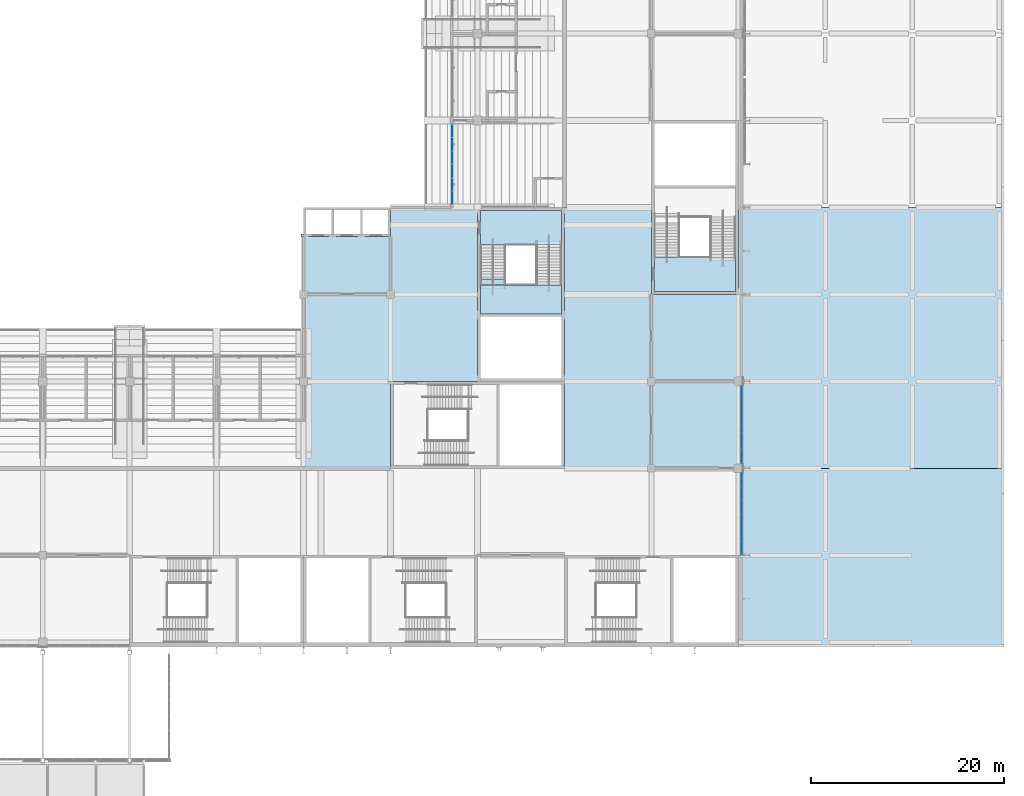
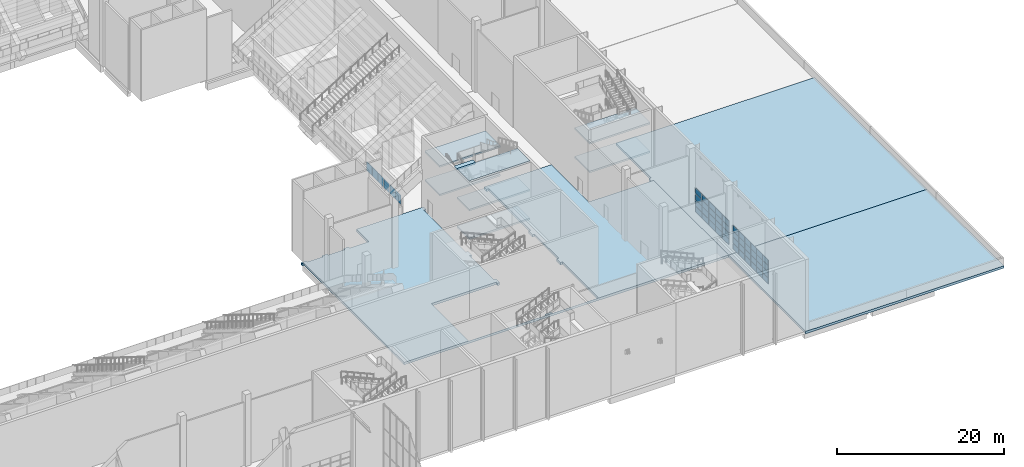
# One storey, part 74 of 182: 50 plates, 11 slabs, 5 elements without a shape of their own.
"""IFC4 building model written with IfcOpenShell, lengths in metres."""

from ifc_helpers import new_model, si_unit, direction, frame, origin, origin_2d, place, context, subcontext, project, spatial, polyline, rectangle, outline, extrude, material, layer, layer_set, type_object, element, aggregate, save


model = new_model("IFC4")

# Units and contexts
model_context = context("Model", 3, precision=1e-05, world=origin(), true_north=direction((0.0, 1.0)))
body_context = subcontext(model_context, "Body", "Model", "MODEL_VIEW")
ifc_project = project(units=[si_unit("LENGTHUNIT", "METRE"), si_unit("AREAUNIT", "SQUARE_METRE"), si_unit("VOLUMEUNIT", "CUBIC_METRE"), si_unit("PLANEANGLEUNIT", "RADIAN"), si_unit("MASSUNIT", "GRAM", prefix="KILO")], contexts=[model_context])

# Site, building, storey
site_placement = place(None, origin())
site = spatial("IfcSite", under=ifc_project, at=site_placement, CompositionType="ELEMENT")
building_placement = place(site_placement, origin())
building = spatial("IfcBuilding", under=site, at=building_placement, Name="Silverbay Arena", CompositionType="ELEMENT")
storey_placement = place(building_placement, frame((0.0, 0.0, 11.5)))
storey = spatial("IfcBuildingStorey", under=building, at=storey_placement, Name="L02", CompositionType="ELEMENT", Elevation=11.5)

# Curtain wall, plates
ifc_material_1 = material(Name="Fire-resisting glass", Category="glass")
curtain_wall_type_1 = type_object("IfcCurtainWallType", Name="Fire-resisting glazed screen EI 120 8350 x 1437", PredefinedType="NOTDEFINED", material=ifc_material_1)
curtain_wall_1_placement = place(storey_placement, origin())
curtain_wall_1 = element("IfcCurtainWall", 1, at=curtain_wall_1_placement, inside=storey, type_object=curtain_wall_type_1, Name="East suite front 1", PredefinedType="NOTDEFINED")
ifc_material_2 = material(Name="Laminated glass", Category="glass")
ifc_layer_1 = layer(ifc_material_2, 0.02392578125)
ifc_layer_set_1 = layer_set([ifc_layer_1], Name="Laminated glass")
plate_type_1 = type_object("IfcPlateType", Name="Glass panel 24", PredefinedType="CURTAIN_PANEL", material=ifc_layer_set_1)
plate_1_placement = place(storey_placement, frame((177.39990234375, 64.0107421875, 1.150146484375), z_axis=(0.0, 0.0, 1.0), x_axis=(0.0, 1.0, 0.0)))
plate_1 = element("IfcPlate", 2, at=plate_1_placement, type_object=plate_type_1, Name="CW20 panel 1.1", PredefinedType="CURTAIN_PANEL", context=body_context, shape_type="SweptSolid", body=[
    extrude(rectangle(XDim=1.3017578125, YDim=0.02392578125, at=origin_2d()), origin(), (0.0, 0.0, 1.0), 1.3369140625),
])
plate_2_placement = place(storey_placement, frame((177.39990234375, 65.387451171875, 1.150146484375), z_axis=(0.0, 0.0, 1.0), x_axis=(0.0, 1.0, 0.0)))
plate_2 = element("IfcPlate", 3, at=plate_2_placement, type_object=plate_type_1, Name="CW20 panel 2.1", PredefinedType="CURTAIN_PANEL", context=body_context, shape_type="SweptSolid", body=[
    extrude(rectangle(XDim=1.331787109375, YDim=0.02392578125, at=origin_2d()), origin(), (0.0, 0.0, 1.0), 1.3369140625),
])
plate_3_placement = place(storey_placement, frame((177.39990234375, 66.779052734375, 1.150146484375), z_axis=(0.0, 0.0, 1.0), x_axis=(0.0, 1.0, 0.0)))
plate_3 = element("IfcPlate", 4, at=plate_3_placement, type_object=plate_type_1, Name="CW20 panel 3.1", PredefinedType="CURTAIN_PANEL", context=body_context, shape_type="SweptSolid", body=[
    extrude(rectangle(XDim=1.331787109375, YDim=0.02392578125, at=origin_2d()), origin(), (0.0, 0.0, 1.0), 1.3369140625),
])
plate_4_placement = place(storey_placement, frame((177.39990234375, 68.1708984375, 1.150146484375), z_axis=(0.0, 0.0, 1.0), x_axis=(0.0, 1.0, 0.0)))
plate_4 = element("IfcPlate", 5, at=plate_4_placement, type_object=plate_type_1, Name="CW20 panel 4.1", PredefinedType="CURTAIN_PANEL", context=body_context, shape_type="SweptSolid", body=[
    extrude(rectangle(XDim=1.331787109375, YDim=0.02392578125, at=origin_2d()), origin(), (0.0, 0.0, 1.0), 1.3369140625),
])
plate_5_placement = place(storey_placement, frame((177.39990234375, 69.5625, 1.150146484375), z_axis=(0.0, 0.0, 1.0), x_axis=(0.0, 1.0, 0.0)))
plate_5 = element("IfcPlate", 6, at=plate_5_placement, type_object=plate_type_1, Name="CW20 panel 5.1", PredefinedType="CURTAIN_PANEL", context=body_context, shape_type="SweptSolid", body=[
    extrude(rectangle(XDim=1.331787109375, YDim=0.02392578125, at=origin_2d()), origin(), (0.0, 0.0, 1.0), 1.3369140625),
])
plate_6_placement = place(storey_placement, frame((177.39990234375, 70.939208984375, 1.150146484375), z_axis=(0.0, 0.0, 1.0), x_axis=(0.0, 1.0, 0.0)))
plate_6 = element("IfcPlate", 7, at=plate_6_placement, type_object=plate_type_1, Name="CW20 panel 6.1", PredefinedType="CURTAIN_PANEL", context=body_context, shape_type="SweptSolid", body=[
    extrude(rectangle(XDim=1.3017578125, YDim=0.02392578125, at=origin_2d()), origin(), (0.0, 0.0, 1.0), 1.3369140625),
])
aggregate(curtain_wall_1, [plate_1, plate_2, plate_3, plate_4, plate_5, plate_6])

ifc_material_3 = material(Name="Aluminium framed curtain wall", Category="aluminium")
curtain_wall_type_2 = type_object("IfcCurtainWallType", Name="Curtain wall 8550 x 3600", PredefinedType="NOTDEFINED", material=ifc_material_3)
curtain_wall_2_placement = place(storey_placement, origin())
curtain_wall_2 = element("IfcCurtainWall", 8, at=curtain_wall_2_placement, inside=storey, type_object=curtain_wall_type_2, Name="East curtain wall L02 bay 2", PredefinedType="NOTDEFINED")
ifc_material_4 = material(Name="Laminated glass", Category="glass")
ifc_layer_2 = layer(ifc_material_4, 0.035888671875)
ifc_layer_set_2 = layer_set([ifc_layer_2], Name="Laminated glass")
plate_type_2 = type_object("IfcPlateType", Name="Glass panel 36", PredefinedType="CURTAIN_PANEL", material=ifc_layer_set_2)
plate_7_placement = place(storey_placement, frame((207.35009765625, 27.7275390625, 1.0498046875), z_axis=(0.0, 0.0, 1.0), x_axis=(0.0, 1.0, 0.0)))
plate_7 = element("IfcPlate", 9, at=plate_7_placement, type_object=plate_type_2, Name="CW10 panel 1.1", PredefinedType="CURTAIN_PANEL", context=body_context, shape_type="SweptSolid", body=[
    extrude(rectangle(XDim=1.3349609375, YDim=0.035888671875, at=origin_2d()), origin(), (0.0, 0.0, 1.0), 0.824951171875),
])
plate_8_placement = place(storey_placement, frame((207.35009765625, 27.7275390625, 1.925048828125), z_axis=(0.0, 0.0, 1.0), x_axis=(0.0, 1.0, 0.0)))
plate_8 = element("IfcPlate", 10, at=plate_8_placement, type_object=plate_type_2, Name="CW10 panel 1.2", PredefinedType="CURTAIN_PANEL", context=body_context, shape_type="SweptSolid", body=[
    extrude(rectangle(XDim=1.3349609375, YDim=0.035888671875, at=origin_2d()), origin(), (0.0, 0.0, 1.0), 0.85009765625),
])
plate_9_placement = place(storey_placement, frame((207.35009765625, 27.7275390625, 2.824951171875), z_axis=(0.0, 0.0, 1.0), x_axis=(0.0, 1.0, 0.0)))
plate_9 = element("IfcPlate", 11, at=plate_9_placement, type_object=plate_type_2, Name="CW10 panel 1.3", PredefinedType="CURTAIN_PANEL", context=body_context, shape_type="SweptSolid", body=[
    extrude(rectangle(XDim=1.3349609375, YDim=0.035888671875, at=origin_2d()), origin(), (0.0, 0.0, 1.0), 0.85009765625),
])
plate_10_placement = place(storey_placement, frame((207.35009765625, 27.7275390625, 3.72509765625), z_axis=(0.0, 0.0, 1.0), x_axis=(0.0, 1.0, 0.0)))
plate_10 = element("IfcPlate", 12, at=plate_10_placement, type_object=plate_type_2, Name="CW10 panel 1.4", PredefinedType="CURTAIN_PANEL", context=body_context, shape_type="SweptSolid", body=[
    extrude(rectangle(XDim=1.3349609375, YDim=0.035888671875, at=origin_2d()), origin(), (0.0, 0.0, 1.0), 0.824951171875),
])
plate_11_placement = place(storey_placement, frame((207.35009765625, 29.137451171875, 1.0498046875), z_axis=(0.0, 0.0, 1.0), x_axis=(0.0, 1.0, 0.0)))
plate_11 = element("IfcPlate", 13, at=plate_11_placement, type_object=plate_type_2, Name="CW10 panel 2.1", PredefinedType="CURTAIN_PANEL", context=body_context, shape_type="SweptSolid", body=[
    extrude(rectangle(XDim=1.364990234375, YDim=0.035888671875, at=origin_2d()), origin(), (0.0, 0.0, 1.0), 0.824951171875),
])
plate_12_placement = place(storey_placement, frame((207.35009765625, 29.137451171875, 1.925048828125), z_axis=(0.0, 0.0, 1.0), x_axis=(0.0, 1.0, 0.0)))
plate_12 = element("IfcPlate", 14, at=plate_12_placement, type_object=plate_type_2, Name="CW10 panel 2.2", PredefinedType="CURTAIN_PANEL", context=body_context, shape_type="SweptSolid", body=[
    extrude(rectangle(XDim=1.364990234375, YDim=0.035888671875, at=origin_2d()), origin(), (0.0, 0.0, 1.0), 0.85009765625),
])
plate_13_placement = place(storey_placement, frame((207.35009765625, 29.137451171875, 2.824951171875), z_axis=(0.0, 0.0, 1.0), x_axis=(0.0, 1.0, 0.0)))
plate_13 = element("IfcPlate", 15, at=plate_13_placement, type_object=plate_type_2, Name="CW10 panel 2.3", PredefinedType="CURTAIN_PANEL", context=body_context, shape_type="SweptSolid", body=[
    extrude(rectangle(XDim=1.364990234375, YDim=0.035888671875, at=origin_2d()), origin(), (0.0, 0.0, 1.0), 0.85009765625),
])
plate_14_placement = place(storey_placement, frame((207.35009765625, 29.137451171875, 3.72509765625), z_axis=(0.0, 0.0, 1.0), x_axis=(0.0, 1.0, 0.0)))
plate_14 = element("IfcPlate", 16, at=plate_14_placement, type_object=plate_type_2, Name="CW10 panel 2.4", PredefinedType="CURTAIN_PANEL", context=body_context, shape_type="SweptSolid", body=[
    extrude(rectangle(XDim=1.364990234375, YDim=0.035888671875, at=origin_2d()), origin(), (0.0, 0.0, 1.0), 0.824951171875),
])
plate_15_placement = place(storey_placement, frame((207.35009765625, 30.5625, 1.0498046875), z_axis=(0.0, 0.0, 1.0), x_axis=(0.0, 1.0, 0.0)))
plate_15 = element("IfcPlate", 17, at=plate_15_placement, type_object=plate_type_2, Name="CW10 panel 3.1", PredefinedType="CURTAIN_PANEL", context=body_context, shape_type="SweptSolid", body=[
    extrude(rectangle(XDim=1.364990234375, YDim=0.035888671875, at=origin_2d()), origin(), (0.0, 0.0, 1.0), 0.824951171875),
])
plate_16_placement = place(storey_placement, frame((207.35009765625, 30.5625, 1.925048828125), z_axis=(0.0, 0.0, 1.0), x_axis=(0.0, 1.0, 0.0)))
plate_16 = element("IfcPlate", 18, at=plate_16_placement, type_object=plate_type_2, Name="CW10 panel 3.2", PredefinedType="CURTAIN_PANEL", context=body_context, shape_type="SweptSolid", body=[
    extrude(rectangle(XDim=1.364990234375, YDim=0.035888671875, at=origin_2d()), origin(), (0.0, 0.0, 1.0), 0.85009765625),
])
plate_17_placement = place(storey_placement, frame((207.35009765625, 30.5625, 2.824951171875), z_axis=(0.0, 0.0, 1.0), x_axis=(0.0, 1.0, 0.0)))
plate_17 = element("IfcPlate", 19, at=plate_17_placement, type_object=plate_type_2, Name="CW10 panel 3.3", PredefinedType="CURTAIN_PANEL", context=body_context, shape_type="SweptSolid", body=[
    extrude(rectangle(XDim=1.364990234375, YDim=0.035888671875, at=origin_2d()), origin(), (0.0, 0.0, 1.0), 0.85009765625),
])
plate_18_placement = place(storey_placement, frame((207.35009765625, 30.5625, 3.72509765625), z_axis=(0.0, 0.0, 1.0), x_axis=(0.0, 1.0, 0.0)))
plate_18 = element("IfcPlate", 20, at=plate_18_placement, type_object=plate_type_2, Name="CW10 panel 3.4", PredefinedType="CURTAIN_PANEL", context=body_context, shape_type="SweptSolid", body=[
    extrude(rectangle(XDim=1.364990234375, YDim=0.035888671875, at=origin_2d()), origin(), (0.0, 0.0, 1.0), 0.824951171875),
])
plate_19_placement = place(storey_placement, frame((207.35009765625, 31.987548828125, 1.0498046875), z_axis=(0.0, 0.0, 1.0), x_axis=(0.0, 1.0, 0.0)))
plate_19 = element("IfcPlate", 21, at=plate_19_placement, type_object=plate_type_2, Name="CW10 panel 4.1", PredefinedType="CURTAIN_PANEL", context=body_context, shape_type="SweptSolid", body=[
    extrude(rectangle(XDim=1.364990234375, YDim=0.035888671875, at=origin_2d()), origin(), (0.0, 0.0, 1.0), 0.824951171875),
])
plate_20_placement = place(storey_placement, frame((207.35009765625, 31.987548828125, 1.925048828125), z_axis=(0.0, 0.0, 1.0), x_axis=(0.0, 1.0, 0.0)))
plate_20 = element("IfcPlate", 22, at=plate_20_placement, type_object=plate_type_2, Name="CW10 panel 4.2", PredefinedType="CURTAIN_PANEL", context=body_context, shape_type="SweptSolid", body=[
    extrude(rectangle(XDim=1.364990234375, YDim=0.035888671875, at=origin_2d()), origin(), (0.0, 0.0, 1.0), 0.85009765625),
])
plate_21_placement = place(storey_placement, frame((207.35009765625, 31.987548828125, 2.824951171875), z_axis=(0.0, 0.0, 1.0), x_axis=(0.0, 1.0, 0.0)))
plate_21 = element("IfcPlate", 23, at=plate_21_placement, type_object=plate_type_2, Name="CW10 panel 4.3", PredefinedType="CURTAIN_PANEL", context=body_context, shape_type="SweptSolid", body=[
    extrude(rectangle(XDim=1.364990234375, YDim=0.035888671875, at=origin_2d()), origin(), (0.0, 0.0, 1.0), 0.85009765625),
])
plate_22_placement = place(storey_placement, frame((207.35009765625, 31.987548828125, 3.72509765625), z_axis=(0.0, 0.0, 1.0), x_axis=(0.0, 1.0, 0.0)))
plate_22 = element("IfcPlate", 24, at=plate_22_placement, type_object=plate_type_2, Name="CW10 panel 4.4", PredefinedType="CURTAIN_PANEL", context=body_context, shape_type="SweptSolid", body=[
    extrude(rectangle(XDim=1.364990234375, YDim=0.035888671875, at=origin_2d()), origin(), (0.0, 0.0, 1.0), 0.824951171875),
])
plate_23_placement = place(storey_placement, frame((207.35009765625, 33.41259765625, 1.0498046875), z_axis=(0.0, 0.0, 1.0), x_axis=(0.0, 1.0, 0.0)))
plate_23 = element("IfcPlate", 25, at=plate_23_placement, type_object=plate_type_2, Name="CW10 panel 5.1", PredefinedType="CURTAIN_PANEL", context=body_context, shape_type="SweptSolid", body=[
    extrude(rectangle(XDim=1.364990234375, YDim=0.035888671875, at=origin_2d()), origin(), (0.0, 0.0, 1.0), 0.824951171875),
])
plate_24_placement = place(storey_placement, frame((207.35009765625, 33.41259765625, 1.925048828125), z_axis=(0.0, 0.0, 1.0), x_axis=(0.0, 1.0, 0.0)))
plate_24 = element("IfcPlate", 26, at=plate_24_placement, type_object=plate_type_2, Name="CW10 panel 5.2", PredefinedType="CURTAIN_PANEL", context=body_context, shape_type="SweptSolid", body=[
    extrude(rectangle(XDim=1.364990234375, YDim=0.035888671875, at=origin_2d()), origin(), (0.0, 0.0, 1.0), 0.85009765625),
])
plate_25_placement = place(storey_placement, frame((207.35009765625, 33.41259765625, 2.824951171875), z_axis=(0.0, 0.0, 1.0), x_axis=(0.0, 1.0, 0.0)))
plate_25 = element("IfcPlate", 27, at=plate_25_placement, type_object=plate_type_2, Name="CW10 panel 5.3", PredefinedType="CURTAIN_PANEL", context=body_context, shape_type="SweptSolid", body=[
    extrude(rectangle(XDim=1.364990234375, YDim=0.035888671875, at=origin_2d()), origin(), (0.0, 0.0, 1.0), 0.85009765625),
])
plate_26_placement = place(storey_placement, frame((207.35009765625, 33.41259765625, 3.72509765625), z_axis=(0.0, 0.0, 1.0), x_axis=(0.0, 1.0, 0.0)))
plate_26 = element("IfcPlate", 28, at=plate_26_placement, type_object=plate_type_2, Name="CW10 panel 5.4", PredefinedType="CURTAIN_PANEL", context=body_context, shape_type="SweptSolid", body=[
    extrude(rectangle(XDim=1.364990234375, YDim=0.035888671875, at=origin_2d()), origin(), (0.0, 0.0, 1.0), 0.824951171875),
])
plate_27_placement = place(storey_placement, frame((207.35009765625, 34.822509765625, 1.0498046875), z_axis=(0.0, 0.0, 1.0), x_axis=(0.0, 1.0, 0.0)))
plate_27 = element("IfcPlate", 29, at=plate_27_placement, type_object=plate_type_2, Name="CW10 panel 6.1", PredefinedType="CURTAIN_PANEL", context=body_context, shape_type="SweptSolid", body=[
    extrude(rectangle(XDim=1.3349609375, YDim=0.035888671875, at=origin_2d()), origin(), (0.0, 0.0, 1.0), 0.824951171875),
])
plate_28_placement = place(storey_placement, frame((207.35009765625, 34.822509765625, 1.925048828125), z_axis=(0.0, 0.0, 1.0), x_axis=(0.0, 1.0, 0.0)))
plate_28 = element("IfcPlate", 30, at=plate_28_placement, type_object=plate_type_2, Name="CW10 panel 6.2", PredefinedType="CURTAIN_PANEL", context=body_context, shape_type="SweptSolid", body=[
    extrude(rectangle(XDim=1.3349609375, YDim=0.035888671875, at=origin_2d()), origin(), (0.0, 0.0, 1.0), 0.85009765625),
])
plate_29_placement = place(storey_placement, frame((207.35009765625, 34.822509765625, 2.824951171875), z_axis=(0.0, 0.0, 1.0), x_axis=(0.0, 1.0, 0.0)))
plate_29 = element("IfcPlate", 31, at=plate_29_placement, type_object=plate_type_2, Name="CW10 panel 6.3", PredefinedType="CURTAIN_PANEL", context=body_context, shape_type="SweptSolid", body=[
    extrude(rectangle(XDim=1.3349609375, YDim=0.035888671875, at=origin_2d()), origin(), (0.0, 0.0, 1.0), 0.85009765625),
])
plate_30_placement = place(storey_placement, frame((207.35009765625, 34.822509765625, 3.72509765625), z_axis=(0.0, 0.0, 1.0), x_axis=(0.0, 1.0, 0.0)))
plate_30 = element("IfcPlate", 32, at=plate_30_placement, type_object=plate_type_2, Name="CW10 panel 6.4", PredefinedType="CURTAIN_PANEL", context=body_context, shape_type="SweptSolid", body=[
    extrude(rectangle(XDim=1.3349609375, YDim=0.035888671875, at=origin_2d()), origin(), (0.0, 0.0, 1.0), 0.824951171875),
])
aggregate(curtain_wall_2, [plate_7, plate_8, plate_9, plate_10, plate_11, plate_12, plate_13, plate_14, plate_15, plate_16, plate_17, plate_18, plate_19, plate_20, plate_21, plate_22, plate_23, plate_24, plate_25, plate_26, plate_27, plate_28, plate_29, plate_30])

ifc_material_5 = material(Name="Aluminium framed curtain wall", Category="aluminium")
curtain_wall_type_3 = type_object("IfcCurtainWallType", Name="Curtain wall 8100 x 3600", PredefinedType="NOTDEFINED", material=ifc_material_5)
curtain_wall_3_placement = place(storey_placement, origin())
curtain_wall_3 = element("IfcCurtainWall", 33, at=curtain_wall_3_placement, inside=storey, type_object=curtain_wall_type_3, Name="East curtain wall L02 bay 3", PredefinedType="NOTDEFINED")
plate_31_placement = place(storey_placement, frame((207.35009765625, 37.27490234375, 1.0498046875), z_axis=(0.0, 0.0, 1.0), x_axis=(0.0, 1.0, 0.0)))
plate_31 = element("IfcPlate", 34, at=plate_31_placement, type_object=plate_type_2, Name="CW11 panel 1.1", PredefinedType="CURTAIN_PANEL", context=body_context, shape_type="SweptSolid", body=[
    extrude(rectangle(XDim=1.530029296875, YDim=0.035888671875, at=origin_2d()), origin(), (0.0, 0.0, 1.0), 0.824951171875),
])
plate_32_placement = place(storey_placement, frame((207.35009765625, 37.27490234375, 1.925048828125), z_axis=(0.0, 0.0, 1.0), x_axis=(0.0, 1.0, 0.0)))
plate_32 = element("IfcPlate", 35, at=plate_32_placement, type_object=plate_type_2, Name="CW11 panel 1.2", PredefinedType="CURTAIN_PANEL", context=body_context, shape_type="SweptSolid", body=[
    extrude(rectangle(XDim=1.530029296875, YDim=0.035888671875, at=origin_2d()), origin(), (0.0, 0.0, 1.0), 0.85009765625),
])
plate_33_placement = place(storey_placement, frame((207.35009765625, 37.27490234375, 2.824951171875), z_axis=(0.0, 0.0, 1.0), x_axis=(0.0, 1.0, 0.0)))
plate_33 = element("IfcPlate", 36, at=plate_33_placement, type_object=plate_type_2, Name="CW11 panel 1.3", PredefinedType="CURTAIN_PANEL", context=body_context, shape_type="SweptSolid", body=[
    extrude(rectangle(XDim=1.530029296875, YDim=0.035888671875, at=origin_2d()), origin(), (0.0, 0.0, 1.0), 0.85009765625),
])
plate_34_placement = place(storey_placement, frame((207.35009765625, 37.27490234375, 3.72509765625), z_axis=(0.0, 0.0, 1.0), x_axis=(0.0, 1.0, 0.0)))
plate_34 = element("IfcPlate", 37, at=plate_34_placement, type_object=plate_type_2, Name="CW11 panel 1.4", PredefinedType="CURTAIN_PANEL", context=body_context, shape_type="SweptSolid", body=[
    extrude(rectangle(XDim=1.530029296875, YDim=0.035888671875, at=origin_2d()), origin(), (0.0, 0.0, 1.0), 0.824951171875),
])
plate_35_placement = place(storey_placement, frame((207.35009765625, 38.8798828125, 1.0498046875), z_axis=(0.0, 0.0, 1.0), x_axis=(0.0, 1.0, 0.0)))
plate_35 = element("IfcPlate", 38, at=plate_35_placement, type_object=plate_type_2, Name="CW11 panel 2.1", PredefinedType="CURTAIN_PANEL", context=body_context, shape_type="SweptSolid", body=[
    extrude(rectangle(XDim=1.56005859375, YDim=0.035888671875, at=origin_2d()), origin(), (0.0, 0.0, 1.0), 0.824951171875),
])
plate_36_placement = place(storey_placement, frame((207.35009765625, 38.8798828125, 1.925048828125), z_axis=(0.0, 0.0, 1.0), x_axis=(0.0, 1.0, 0.0)))
plate_36 = element("IfcPlate", 39, at=plate_36_placement, type_object=plate_type_2, Name="CW11 panel 2.2", PredefinedType="CURTAIN_PANEL", context=body_context, shape_type="SweptSolid", body=[
    extrude(rectangle(XDim=1.56005859375, YDim=0.035888671875, at=origin_2d()), origin(), (0.0, 0.0, 1.0), 0.85009765625),
])
plate_37_placement = place(storey_placement, frame((207.35009765625, 38.8798828125, 2.824951171875), z_axis=(0.0, 0.0, 1.0), x_axis=(0.0, 1.0, 0.0)))
plate_37 = element("IfcPlate", 40, at=plate_37_placement, type_object=plate_type_2, Name="CW11 panel 2.3", PredefinedType="CURTAIN_PANEL", context=body_context, shape_type="SweptSolid", body=[
    extrude(rectangle(XDim=1.56005859375, YDim=0.035888671875, at=origin_2d()), origin(), (0.0, 0.0, 1.0), 0.85009765625),
])
plate_38_placement = place(storey_placement, frame((207.35009765625, 38.8798828125, 3.72509765625), z_axis=(0.0, 0.0, 1.0), x_axis=(0.0, 1.0, 0.0)))
plate_38 = element("IfcPlate", 41, at=plate_38_placement, type_object=plate_type_2, Name="CW11 panel 2.4", PredefinedType="CURTAIN_PANEL", context=body_context, shape_type="SweptSolid", body=[
    extrude(rectangle(XDim=1.56005859375, YDim=0.035888671875, at=origin_2d()), origin(), (0.0, 0.0, 1.0), 0.824951171875),
])
plate_39_placement = place(storey_placement, frame((207.35009765625, 40.5, 1.0498046875), z_axis=(0.0, 0.0, 1.0), x_axis=(0.0, 1.0, 0.0)))
plate_39 = element("IfcPlate", 42, at=plate_39_placement, type_object=plate_type_2, Name="CW11 panel 3.1", PredefinedType="CURTAIN_PANEL", context=body_context, shape_type="SweptSolid", body=[
    extrude(rectangle(XDim=1.56005859375, YDim=0.035888671875, at=origin_2d()), origin(), (0.0, 0.0, 1.0), 0.824951171875),
])
plate_40_placement = place(storey_placement, frame((207.35009765625, 40.5, 1.925048828125), z_axis=(0.0, 0.0, 1.0), x_axis=(0.0, 1.0, 0.0)))
plate_40 = element("IfcPlate", 43, at=plate_40_placement, type_object=plate_type_2, Name="CW11 panel 3.2", PredefinedType="CURTAIN_PANEL", context=body_context, shape_type="SweptSolid", body=[
    extrude(rectangle(XDim=1.56005859375, YDim=0.035888671875, at=origin_2d()), origin(), (0.0, 0.0, 1.0), 0.85009765625),
])
plate_41_placement = place(storey_placement, frame((207.35009765625, 40.5, 2.824951171875), z_axis=(0.0, 0.0, 1.0), x_axis=(0.0, 1.0, 0.0)))
plate_41 = element("IfcPlate", 44, at=plate_41_placement, type_object=plate_type_2, Name="CW11 panel 3.3", PredefinedType="CURTAIN_PANEL", context=body_context, shape_type="SweptSolid", body=[
    extrude(rectangle(XDim=1.56005859375, YDim=0.035888671875, at=origin_2d()), origin(), (0.0, 0.0, 1.0), 0.85009765625),
])
plate_42_placement = place(storey_placement, frame((207.35009765625, 40.5, 3.72509765625), z_axis=(0.0, 0.0, 1.0), x_axis=(0.0, 1.0, 0.0)))
plate_42 = element("IfcPlate", 45, at=plate_42_placement, type_object=plate_type_2, Name="CW11 panel 3.4", PredefinedType="CURTAIN_PANEL", context=body_context, shape_type="SweptSolid", body=[
    extrude(rectangle(XDim=1.56005859375, YDim=0.035888671875, at=origin_2d()), origin(), (0.0, 0.0, 1.0), 0.824951171875),
])
plate_43_placement = place(storey_placement, frame((207.35009765625, 42.1201171875, 1.0498046875), z_axis=(0.0, 0.0, 1.0), x_axis=(0.0, 1.0, 0.0)))
plate_43 = element("IfcPlate", 46, at=plate_43_placement, type_object=plate_type_2, Name="CW11 panel 4.1", PredefinedType="CURTAIN_PANEL", context=body_context, shape_type="SweptSolid", body=[
    extrude(rectangle(XDim=1.56005859375, YDim=0.035888671875, at=origin_2d()), origin(), (0.0, 0.0, 1.0), 0.824951171875),
])
plate_44_placement = place(storey_placement, frame((207.35009765625, 42.1201171875, 1.925048828125), z_axis=(0.0, 0.0, 1.0), x_axis=(0.0, 1.0, 0.0)))
plate_44 = element("IfcPlate", 47, at=plate_44_placement, type_object=plate_type_2, Name="CW11 panel 4.2", PredefinedType="CURTAIN_PANEL", context=body_context, shape_type="SweptSolid", body=[
    extrude(rectangle(XDim=1.56005859375, YDim=0.035888671875, at=origin_2d()), origin(), (0.0, 0.0, 1.0), 0.85009765625),
])
plate_45_placement = place(storey_placement, frame((207.35009765625, 42.1201171875, 2.824951171875), z_axis=(0.0, 0.0, 1.0), x_axis=(0.0, 1.0, 0.0)))
plate_45 = element("IfcPlate", 48, at=plate_45_placement, type_object=plate_type_2, Name="CW11 panel 4.3", PredefinedType="CURTAIN_PANEL", context=body_context, shape_type="SweptSolid", body=[
    extrude(rectangle(XDim=1.56005859375, YDim=0.035888671875, at=origin_2d()), origin(), (0.0, 0.0, 1.0), 0.85009765625),
])
plate_46_placement = place(storey_placement, frame((207.35009765625, 42.1201171875, 3.72509765625), z_axis=(0.0, 0.0, 1.0), x_axis=(0.0, 1.0, 0.0)))
plate_46 = element("IfcPlate", 49, at=plate_46_placement, type_object=plate_type_2, Name="CW11 panel 4.4", PredefinedType="CURTAIN_PANEL", context=body_context, shape_type="SweptSolid", body=[
    extrude(rectangle(XDim=1.56005859375, YDim=0.035888671875, at=origin_2d()), origin(), (0.0, 0.0, 1.0), 0.824951171875),
])
plate_47_placement = place(storey_placement, frame((207.35009765625, 43.72509765625, 1.0498046875), z_axis=(0.0, 0.0, 1.0), x_axis=(0.0, 1.0, 0.0)))
plate_47 = element("IfcPlate", 50, at=plate_47_placement, type_object=plate_type_2, Name="CW11 panel 5.1", PredefinedType="CURTAIN_PANEL", context=body_context, shape_type="SweptSolid", body=[
    extrude(rectangle(XDim=1.530029296875, YDim=0.035888671875, at=origin_2d()), origin(), (0.0, 0.0, 1.0), 0.824951171875),
])
plate_48_placement = place(storey_placement, frame((207.35009765625, 43.72509765625, 1.925048828125), z_axis=(0.0, 0.0, 1.0), x_axis=(0.0, 1.0, 0.0)))
plate_48 = element("IfcPlate", 51, at=plate_48_placement, type_object=plate_type_2, Name="CW11 panel 5.2", PredefinedType="CURTAIN_PANEL", context=body_context, shape_type="SweptSolid", body=[
    extrude(rectangle(XDim=1.530029296875, YDim=0.035888671875, at=origin_2d()), origin(), (0.0, 0.0, 1.0), 0.85009765625),
])
plate_49_placement = place(storey_placement, frame((207.35009765625, 43.72509765625, 2.824951171875), z_axis=(0.0, 0.0, 1.0), x_axis=(0.0, 1.0, 0.0)))
plate_49 = element("IfcPlate", 52, at=plate_49_placement, type_object=plate_type_2, Name="CW11 panel 5.3", PredefinedType="CURTAIN_PANEL", context=body_context, shape_type="SweptSolid", body=[
    extrude(rectangle(XDim=1.530029296875, YDim=0.035888671875, at=origin_2d()), origin(), (0.0, 0.0, 1.0), 0.85009765625),
])
plate_50_placement = place(storey_placement, frame((207.35009765625, 43.72509765625, 3.72509765625), z_axis=(0.0, 0.0, 1.0), x_axis=(0.0, 1.0, 0.0)))
plate_50 = element("IfcPlate", 53, at=plate_50_placement, type_object=plate_type_2, Name="CW11 panel 5.4", PredefinedType="CURTAIN_PANEL", context=body_context, shape_type="SweptSolid", body=[
    extrude(rectangle(XDim=1.530029296875, YDim=0.035888671875, at=origin_2d()), origin(), (0.0, 0.0, 1.0), 0.824951171875),
])
aggregate(curtain_wall_3, [plate_31, plate_32, plate_33, plate_34, plate_35, plate_36, plate_37, plate_38, plate_39, plate_40, plate_41, plate_42, plate_43, plate_44, plate_45, plate_46, plate_47, plate_48, plate_49, plate_50])

# Slabs
ifc_material_6 = material(Name="Concrete Grade C45", Category="concrete")
ifc_layer_3 = layer(ifc_material_6, 0.35009765625)
ifc_layer_set_3 = layer_set([ifc_layer_3], Name="Concrete Grade C45")
slab_type_1 = type_object("IfcSlabType", Name="RC floor slab 350", PredefinedType="FLOOR", material=ifc_layer_set_3)
slab_1_placement = place(storey_placement, frame((0.0, 0.0, -0.35009765625)))
element("IfcSlab", 54, at=slab_1_placement, inside=storey, type_object=slab_type_1, Name="Floor slab L02 unit 6", PredefinedType="FLOOR", context=body_context, shape_type="SweptSolid", body=[
    extrude(outline(polyline([(180.300048828125, 45.60009765625), (180.300048828125, 44.699951171875), (180.0, 44.699951171875), (180.0, 45.0), (171.0, 45.0), (171.0, 36.0), (181.699951171875, 36.0), (181.699951171875, 36.300048828125), (182.60009765625, 36.300048828125), (182.60009765625, 36.0), (189.0, 36.0), (189.0, 44.699951171875), (188.699951171875, 44.699951171875), (188.699951171875, 45.60009765625), (189.0, 45.60009765625), (189.0, 51.39990234375), (188.699951171875, 51.39990234375), (188.699951171875, 52.300048828125), (189.0, 52.300048828125), (189.0, 62.39990234375), (188.699951171875, 62.39990234375), (188.699951171875, 63.0), (198.0, 63.0), (198.0, 54.0), (207.0, 54.0), (207.0, 35.97509765625), (162.0, 35.97509765625), (162.0, 60.0), (161.75, 60.0), (161.75, 60.25), (162.5, 60.25), (162.5, 60.0), (164.64990234375, 60.0), (164.64990234375, 60.25), (165.35009765625, 60.25), (165.35009765625, 60.0), (167.64990234375, 60.0), (167.64990234375, 60.25), (168.35009765625, 60.25), (168.35009765625, 60.0), (171.0, 60.0), (171.0, 63.0), (180.300048828125, 63.0), (180.300048828125, 62.39990234375), (180.0, 62.39990234375), (180.0, 52.300048828125), (180.300048828125, 52.300048828125), (180.300048828125, 51.39990234375), (180.0, 51.39990234375), (180.0, 45.60009765625), (180.300048828125, 45.60009765625)])), origin(), (0.0, 0.0, 1.0), 0.35009765625),
])
ifc_material_7 = material(Name="Concrete Grade C45", Category="concrete")
ifc_layer_4 = layer(ifc_material_7, 0.35009765625)
ifc_layer_set_4 = layer_set([ifc_layer_4], Name="Concrete Grade C45")
slab_type_2 = type_object("IfcSlabType", Name="RC roof slab 350", PredefinedType="ROOF", material=ifc_layer_set_4)
slab_2_placement = place(storey_placement, frame((0.0, 0.0, -0.35009765625)))
element("IfcSlab", 55, at=slab_2_placement, inside=storey, type_object=slab_type_2, Name="Roof slab L02 unit 2", PredefinedType="ROOF", context=body_context, shape_type="SweptSolid", body=[
    extrude(outline(polyline([(234.5, 17.5), (207.0, 17.5), (207.0, 35.97509765625), (234.5, 35.97509765625), (234.5, 17.5)])), origin(), (0.0, 0.0, 1.0), 0.35009765625),
])
slab_3_placement = place(storey_placement, frame((0.0, 0.0, -0.35009765625)))
element("IfcSlab", 56, at=slab_3_placement, inside=storey, type_object=slab_type_2, Name="Roof slab L02 unit 4", PredefinedType="ROOF", context=body_context, shape_type="SweptSolid", body=[
    extrude(outline(polyline([(207.0, 35.97509765625), (207.0, 54.0), (206.699951171875, 54.0), (206.699951171875, 54.60009765625), (207.0, 54.60009765625), (207.0, 63.0), (234.5, 63.0), (234.5, 35.97509765625), (207.0, 35.97509765625)])), origin(), (0.0, 0.0, 1.0), 0.35009765625),
])

# Stair, slab
ifc_material_8 = material(Name="Concrete Grade C45", Category="concrete")
stair_type = type_object("IfcStairType", Name="Stair 2600 wide 80 risers 131.2 x 300", PredefinedType="HALF_TURN_STAIR", material=ifc_material_8)
stair_1_placement = place(storey_placement, origin())
stair_1 = element("IfcStair", 57, at=stair_1_placement, inside=storey, type_object=stair_type, Name="Stair ST-SE2 L02 to L03", PredefinedType="HALF_TURN_STAIR")
ifc_material_9 = material(Name="Concrete Grade C45", Category="concrete")
ifc_layer_5 = layer(ifc_material_9, 0.25)
ifc_layer_set_5 = layer_set([ifc_layer_5], Name="Concrete Grade C45")
slab_type_3 = type_object("IfcSlabType", Name="Stair arrival platform RC 250", PredefinedType="FLOOR", material=ifc_layer_set_5)
slab_4_placement = place(storey_placement, frame((0.0, 0.0, 10.25)))
slab_4 = element("IfcSlab", 58, at=slab_4_placement, type_object=slab_type_3, Name="Stair ST-SE2 L02 to L03 arrival platform 6", PredefinedType="FLOOR", context=body_context, shape_type="SweptSolid", body=[
    extrude(outline(polyline([(180.300048828125, 55.60009765625), (180.300048828125, 54.97412109375), (182.89990234375, 54.97412109375), (182.89990234375, 55.60009765625), (180.300048828125, 55.60009765625)])), origin(), (0.0, 0.0, 1.0), 0.25),
])

# Stair, slabs
stair_2_placement = place(storey_placement, origin())
stair_2 = element("IfcStair", 59, at=stair_2_placement, inside=storey, type_object=stair_type, Name="Stair ST-E1 L02 to L03", PredefinedType="HALF_TURN_STAIR")
ifc_material_10 = material(Name="Concrete Grade C45", Category="concrete")
ifc_layer_6 = layer(ifc_material_10, 0.25)
ifc_layer_set_6 = layer_set([ifc_layer_6], Name="Concrete Grade C45")
slab_type_4 = type_object("IfcSlabType", Name="Stair landing RC 250", PredefinedType="LANDING", material=ifc_layer_set_6)
slab_5_placement = place(storey_placement, frame((0.0, 0.0, 3.949951171875)))
slab_5 = element("IfcSlab", 60, at=slab_5_placement, type_object=slab_type_4, Name="Stair ST-E1 L02 to L03 landing 2", PredefinedType="LANDING", context=body_context, shape_type="SweptSolid", body=[
    extrude(outline(polyline([(198.300048828125, 54.300048828125), (198.300048828125, 57.89990234375), (206.699951171875, 57.89990234375), (206.699951171875, 54.300048828125), (198.300048828125, 54.300048828125)])), origin(), (0.0, 0.0, 1.0), 0.25),
])
slab_6_placement = place(storey_placement, frame((0.0, 0.0, 8.14990234375)))
slab_6 = element("IfcSlab", 61, at=slab_6_placement, type_object=slab_type_4, Name="Stair ST-E1 L02 to L03 landing 4", PredefinedType="LANDING", context=body_context, shape_type="SweptSolid", body=[
    extrude(outline(polyline([(198.300048828125, 54.300048828125), (198.300048828125, 57.89990234375), (206.699951171875, 57.89990234375), (206.699951171875, 54.300048828125), (198.300048828125, 54.300048828125)])), origin(), (0.0, 0.0, 1.0), 0.25),
])
aggregate(stair_2, [slab_5, slab_6])

# Slab
slab_7_placement = place(storey_placement, frame((0.0, 0.0, 1.85009765625)))
slab_7 = element("IfcSlab", 62, at=slab_7_placement, type_object=slab_type_4, Name="Stair ST-SE2 L02 to L03 landing 1", PredefinedType="LANDING", context=body_context, shape_type="SweptSolid", body=[
    extrude(outline(polyline([(180.300048828125, 54.97412109375), (180.300048828125, 52.0), (188.699951171875, 52.0), (188.699951171875, 54.97412109375), (180.300048828125, 54.97412109375)])), origin(), (0.0, 0.0, 1.0), 0.25),
])

slab_8_placement = place(storey_placement, frame((0.0, 0.0, 3.949951171875)))
slab_8 = element("IfcSlab", 63, at=slab_8_placement, type_object=slab_type_4, Name="Stair ST-SE2 L02 to L03 landing 2", PredefinedType="LANDING", context=body_context, shape_type="SweptSolid", body=[
    extrude(outline(polyline([(180.300048828125, 62.699951171875), (180.300048828125, 59.10009765625), (188.699951171875, 59.10009765625), (188.699951171875, 62.699951171875), (180.300048828125, 62.699951171875)])), origin(), (0.0, 0.0, 1.0), 0.25),
])

slab_9_placement = place(storey_placement, frame((0.0, 0.0, 6.050048828125)))
slab_9 = element("IfcSlab", 64, at=slab_9_placement, type_object=slab_type_4, Name="Stair ST-SE2 L02 to L03 landing 3", PredefinedType="LANDING", context=body_context, shape_type="SweptSolid", body=[
    extrude(outline(polyline([(180.300048828125, 54.97412109375), (180.300048828125, 52.0), (188.699951171875, 52.0), (188.699951171875, 54.97412109375), (180.300048828125, 54.97412109375)])), origin(), (0.0, 0.0, 1.0), 0.25),
])

slab_10_placement = place(storey_placement, frame((0.0, 0.0, 8.14990234375)))
slab_10 = element("IfcSlab", 65, at=slab_10_placement, type_object=slab_type_4, Name="Stair ST-SE2 L02 to L03 landing 4", PredefinedType="LANDING", context=body_context, shape_type="SweptSolid", body=[
    extrude(outline(polyline([(180.300048828125, 62.699951171875), (180.300048828125, 59.10009765625), (188.699951171875, 59.10009765625), (188.699951171875, 62.699951171875), (180.300048828125, 62.699951171875)])), origin(), (0.0, 0.0, 1.0), 0.25),
])

slab_11_placement = place(storey_placement, frame((0.0, 0.0, 10.25)))
slab_11 = element("IfcSlab", 66, at=slab_11_placement, type_object=slab_type_4, Name="Stair ST-SE2 L02 to L03 landing 5", PredefinedType="LANDING", context=body_context, shape_type="SweptSolid", body=[
    extrude(outline(polyline([(180.300048828125, 54.97412109375), (180.300048828125, 52.0), (188.699951171875, 52.0), (188.699951171875, 54.97412109375), (180.300048828125, 54.97412109375)])), origin(), (0.0, 0.0, 1.0), 0.25),
])

aggregate(stair_1, [slab_7, slab_8, slab_9, slab_10, slab_11, slab_4])

save(model, "model.ifc")
